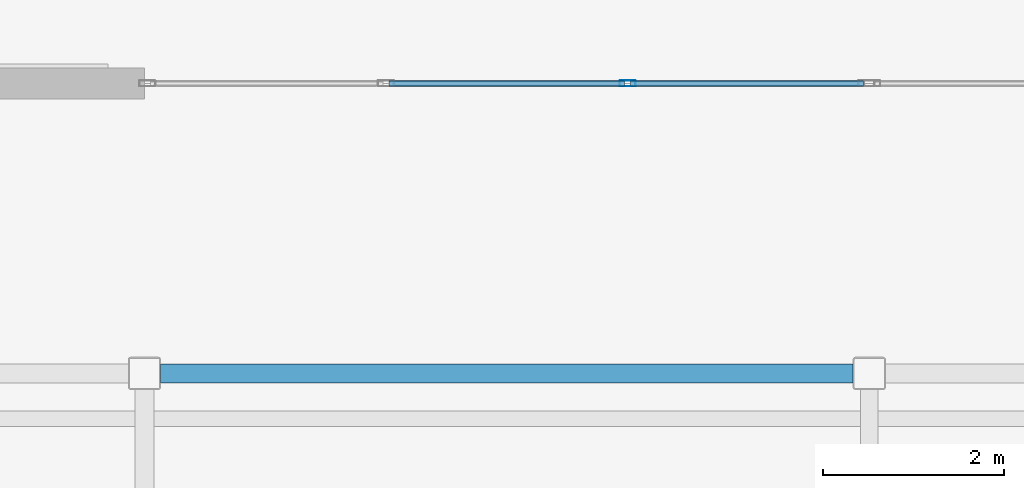
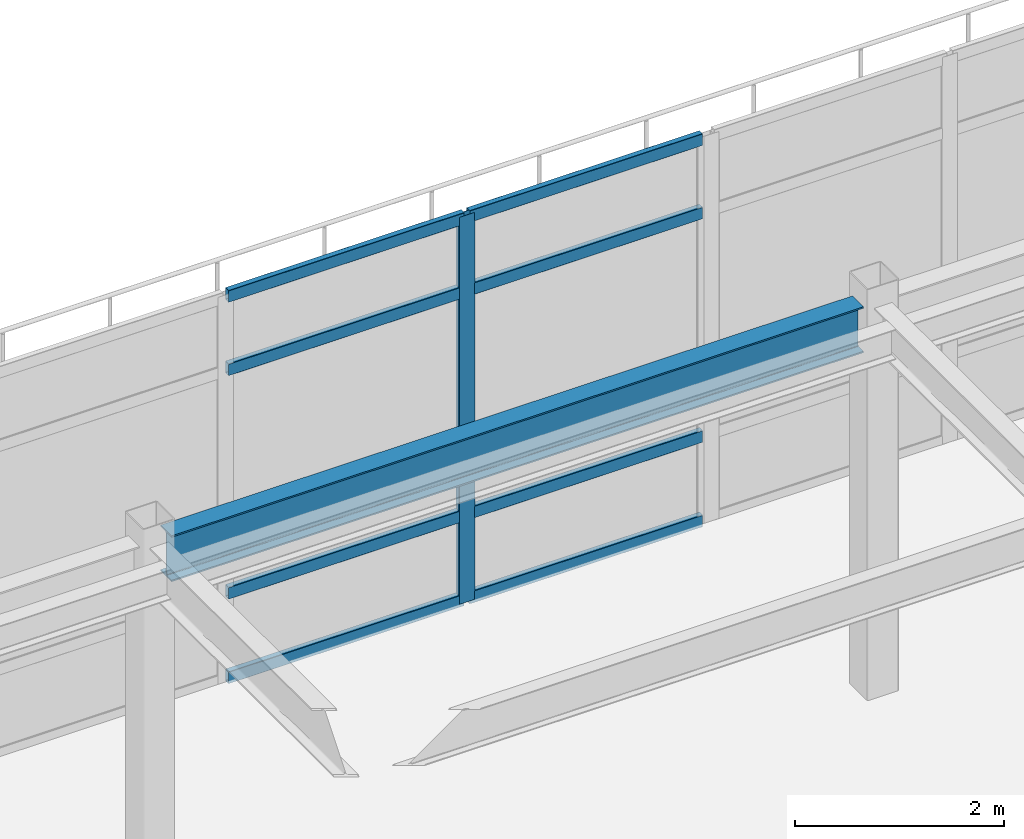
# One storey, part 43 of 117: 9 members, 1 beam, 1 element without a shape of its own.
"""IFC4 building model written with IfcOpenShell, lengths in metres."""

from ifc_helpers import new_model, si_unit, direction, frame, origin, origin_2d, place, context, subcontext, project, spatial, hollow_rectangle, i_section, extrude, material, material_profile, profile_set, type_object, element, aggregate, save


model = new_model("IFC4")

# Units and contexts
model_context = context("Model", 3, precision=1e-05, world=origin(), true_north=direction((0.0, 1.0)))
body_context = subcontext(model_context, "Body", "Model", "MODEL_VIEW")
ifc_project = project(units=[si_unit("LENGTHUNIT", "METRE"), si_unit("AREAUNIT", "SQUARE_METRE"), si_unit("VOLUMEUNIT", "CUBIC_METRE"), si_unit("PLANEANGLEUNIT", "RADIAN"), si_unit("MASSUNIT", "GRAM", prefix="KILO")], contexts=[model_context])

# Site, building, storey
site_placement = place(None, origin())
site = spatial("IfcSite", under=ifc_project, at=site_placement, CompositionType="ELEMENT")
building_placement = place(site_placement, origin())
building = spatial("IfcBuilding", under=site, at=building_placement, Name="Solmirada Galleria", CompositionType="ELEMENT")
storey_placement = place(building_placement, frame((0.0, 0.0, 5.60009765625)))
storey = spatial("IfcBuildingStorey", under=building, at=storey_placement, Name="L01", CompositionType="ELEMENT", Elevation=5.60009765625)

# Beam
ifc_material_1 = material(Name="Steel S355 / ASTM A992 Grade 50", Category="steel")
ifc_material_profile_1 = material_profile(ifc_material_1, i_section(OverallWidth=0.2099609375, OverallDepth=0.537109375, WebThickness=0.010986328125, FlangeThickness=0.017333984375, FilletRadius=0.014892578125, at=origin_2d()), Name="W21X68")
ifc_profile_set_1 = profile_set([ifc_material_profile_1], Name="Steel S355 / ASTM A992 Grade 50")
beam_type = type_object("IfcBeamType", Name="BM-GIRD-W21B", PredefinedType="BEAM", material=ifc_profile_set_1)
beam_placement = place(storey_placement, frame((128.177978515625, 40.0, 4.29150390625), z_axis=(1.0, 0.0, 0.0), x_axis=(0.0, 1.0, 0.0)))
element("IfcBeam", 1, at=beam_placement, inside=storey, type_object=beam_type, Name="Primary beam L02 X(128..136, 40)", PredefinedType="BEAM", context=body_context, shape_type="SweptSolid", body=[
    extrude(i_section(OverallWidth=0.2099609375, OverallDepth=0.537109375, WebThickness=0.010986328125, FlangeThickness=0.017333984375, FilletRadius=0.014892578125, at=origin_2d()), origin(), (0.0, 0.0, 1.0), 7.64404296875),
])

# Curtain wall, members
ifc_material_2 = material(Name="Impact-resistant low-E double glazing", Category="glass")
curtain_wall_type = type_object("IfcCurtainWallType", Name="CW-FZ5-L01-B3-L080", PredefinedType="NOTDEFINED", material=ifc_material_2)
curtain_wall_placement = place(storey_placement, origin())
curtain_wall = element("IfcCurtainWall", 2, at=curtain_wall_placement, inside=storey, type_object=curtain_wall_type, Name="Terrace and arcade storefront CW-L01-076", PredefinedType="NOTDEFINED")
ifc_material_3 = material(Name="Anodised aluminium framing", Category="aluminium")
ifc_material_profile_2 = material_profile(ifc_material_3, hollow_rectangle(XDim=0.06494140625, YDim=0.179931640625, WallThickness=0.00390625, InnerFilletRadius=0.00390625, OuterFilletRadius=0.008056640625, at=origin_2d()), Name="ALU-MULL-180X65")
ifc_profile_set_2 = profile_set([ifc_material_profile_2], Name="Anodised aluminium framing")
member_type_1 = type_object("IfcMemberType", Name="CW-MULL-180", PredefinedType="MULLION", material=ifc_profile_set_2)
member_1_placement = place(storey_placement, frame((133.333251953125, 43.199951171875, 0.0), z_axis=(0.0, 0.0, 1.0), x_axis=(0.0, 1.0, 0.0)))
member_1 = element("IfcMember", 3, at=member_1_placement, type_object=member_type_1, Name="CW17 mullion 3", PredefinedType="MULLION", context=body_context, shape_type="SweptSolid", body=[
    extrude(hollow_rectangle(XDim=0.06494140625, YDim=0.179931640625, WallThickness=0.00390625, InnerFilletRadius=0.00390625, OuterFilletRadius=0.008056640625, at=origin_2d()), origin(), (0.0, 0.0, 1.0), 4.52001953125),
])
ifc_material_profile_3 = material_profile(ifc_material_3, hollow_rectangle(XDim=0.06494140625, YDim=0.139892578125, WallThickness=0.00341796875, InnerFilletRadius=0.00341796875, OuterFilletRadius=0.007080078125, at=origin_2d()), Name="ALU-TRAN-140X65")
ifc_profile_set_3 = profile_set([ifc_material_profile_3], Name="Anodised aluminium framing")
member_type_2 = type_object("IfcMemberType", Name="CW-TRAN-140", PredefinedType="USERDEFINED", material=ifc_profile_set_3)
member_2_placement = place(storey_placement, frame((130.69921875, 43.199951171875, 0.032470703125), z_axis=(1.0, 0.0, 0.0), x_axis=(0.0, 1.0, 0.0)))
member_2 = element("IfcMember", 4, at=member_2_placement, type_object=member_type_2, Name="CW17 transom 2.1", ObjectType="TRANSOM", PredefinedType="USERDEFINED", context=body_context, shape_type="SweptSolid", body=[
    extrude(hollow_rectangle(XDim=0.06494140625, YDim=0.139892578125, WallThickness=0.00341796875, InnerFilletRadius=0.00341796875, OuterFilletRadius=0.007080078125, at=origin_2d()), origin(), (0.0, 0.0, 1.0), 2.6015625),
])
member_3_placement = place(storey_placement, frame((130.69921875, 43.199951171875, 1.02001953125), z_axis=(1.0, 0.0, 0.0), x_axis=(0.0, 1.0, 0.0)))
member_3 = element("IfcMember", 5, at=member_3_placement, type_object=member_type_2, Name="CW17 transom 2.2", ObjectType="TRANSOM", PredefinedType="USERDEFINED", context=body_context, shape_type="SweptSolid", body=[
    extrude(hollow_rectangle(XDim=0.06494140625, YDim=0.139892578125, WallThickness=0.00341796875, InnerFilletRadius=0.00341796875, OuterFilletRadius=0.007080078125, at=origin_2d()), origin(), (0.0, 0.0, 1.0), 2.6015625),
])
member_4_placement = place(storey_placement, frame((130.69921875, 43.199951171875, 3.6298828125), z_axis=(1.0, 0.0, 0.0), x_axis=(0.0, 1.0, 0.0)))
member_4 = element("IfcMember", 6, at=member_4_placement, type_object=member_type_2, Name="CW17 transom 2.3", ObjectType="TRANSOM", PredefinedType="USERDEFINED", context=body_context, shape_type="SweptSolid", body=[
    extrude(hollow_rectangle(XDim=0.06494140625, YDim=0.139892578125, WallThickness=0.00341796875, InnerFilletRadius=0.00341796875, OuterFilletRadius=0.007080078125, at=origin_2d()), origin(), (0.0, 0.0, 1.0), 2.6015625),
])
member_5_placement = place(storey_placement, frame((130.69921875, 43.199951171875, 4.4873046875), z_axis=(1.0, 0.0, 0.0), x_axis=(0.0, 1.0, 0.0)))
member_5 = element("IfcMember", 7, at=member_5_placement, type_object=member_type_2, Name="CW17 transom 2.4", ObjectType="TRANSOM", PredefinedType="USERDEFINED", context=body_context, shape_type="SweptSolid", body=[
    extrude(hollow_rectangle(XDim=0.06494140625, YDim=0.139892578125, WallThickness=0.00341796875, InnerFilletRadius=0.00341796875, OuterFilletRadius=0.007080078125, at=origin_2d()), origin(), (0.0, 0.0, 1.0), 2.6015625),
])
member_6_placement = place(storey_placement, frame((133.36572265625, 43.199951171875, 0.032470703125), z_axis=(1.0, 0.0, 0.0), x_axis=(0.0, 1.0, 0.0)))
member_6 = element("IfcMember", 8, at=member_6_placement, type_object=member_type_2, Name="CW17 transom 3.1", ObjectType="TRANSOM", PredefinedType="USERDEFINED", context=body_context, shape_type="SweptSolid", body=[
    extrude(hollow_rectangle(XDim=0.06494140625, YDim=0.139892578125, WallThickness=0.00341796875, InnerFilletRadius=0.00341796875, OuterFilletRadius=0.007080078125, at=origin_2d()), origin(), (0.0, 0.0, 1.0), 2.5693359375),
])
member_7_placement = place(storey_placement, frame((133.36572265625, 43.199951171875, 1.02001953125), z_axis=(1.0, 0.0, 0.0), x_axis=(0.0, 1.0, 0.0)))
member_7 = element("IfcMember", 9, at=member_7_placement, type_object=member_type_2, Name="CW17 transom 3.2", ObjectType="TRANSOM", PredefinedType="USERDEFINED", context=body_context, shape_type="SweptSolid", body=[
    extrude(hollow_rectangle(XDim=0.06494140625, YDim=0.139892578125, WallThickness=0.00341796875, InnerFilletRadius=0.00341796875, OuterFilletRadius=0.007080078125, at=origin_2d()), origin(), (0.0, 0.0, 1.0), 2.5693359375),
])
member_8_placement = place(storey_placement, frame((133.36572265625, 43.199951171875, 3.6298828125), z_axis=(1.0, 0.0, 0.0), x_axis=(0.0, 1.0, 0.0)))
member_8 = element("IfcMember", 10, at=member_8_placement, type_object=member_type_2, Name="CW17 transom 3.3", ObjectType="TRANSOM", PredefinedType="USERDEFINED", context=body_context, shape_type="SweptSolid", body=[
    extrude(hollow_rectangle(XDim=0.06494140625, YDim=0.139892578125, WallThickness=0.00341796875, InnerFilletRadius=0.00341796875, OuterFilletRadius=0.007080078125, at=origin_2d()), origin(), (0.0, 0.0, 1.0), 2.5693359375),
])
member_9_placement = place(storey_placement, frame((133.36572265625, 43.199951171875, 4.4873046875), z_axis=(1.0, 0.0, 0.0), x_axis=(0.0, 1.0, 0.0)))
member_9 = element("IfcMember", 11, at=member_9_placement, type_object=member_type_2, Name="CW17 transom 3.4", ObjectType="TRANSOM", PredefinedType="USERDEFINED", context=body_context, shape_type="SweptSolid", body=[
    extrude(hollow_rectangle(XDim=0.06494140625, YDim=0.139892578125, WallThickness=0.00341796875, InnerFilletRadius=0.00341796875, OuterFilletRadius=0.007080078125, at=origin_2d()), origin(), (0.0, 0.0, 1.0), 2.5693359375),
])
aggregate(curtain_wall, [member_1, member_2, member_3, member_4, member_5, member_6, member_7, member_8, member_9])

save(model, "model.ifc")
